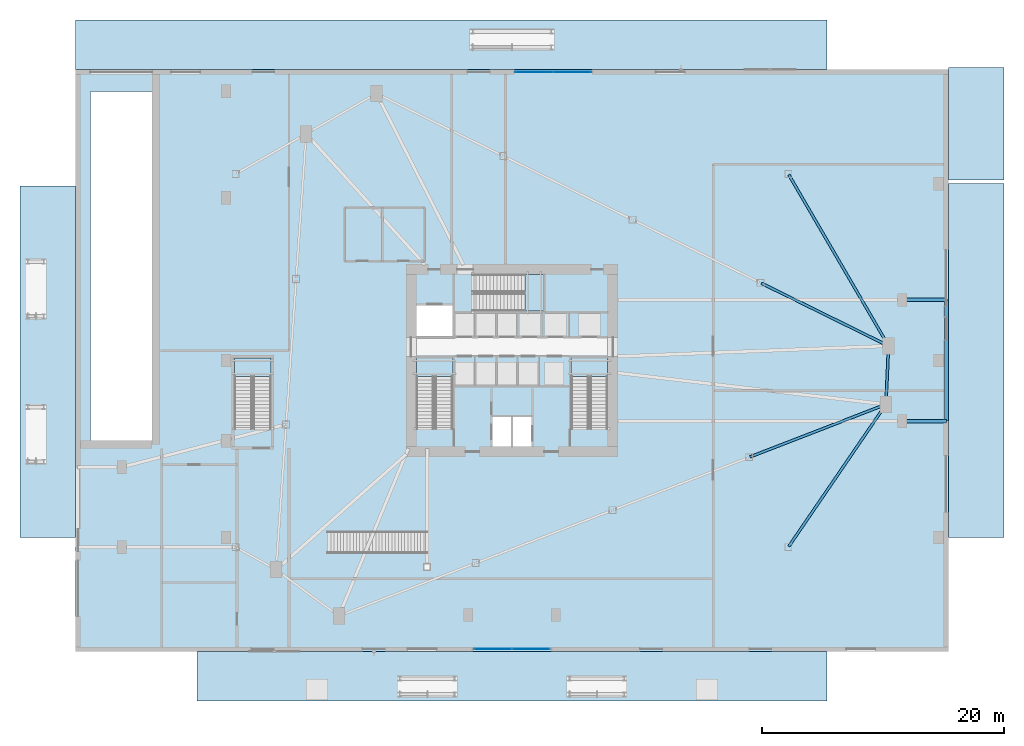
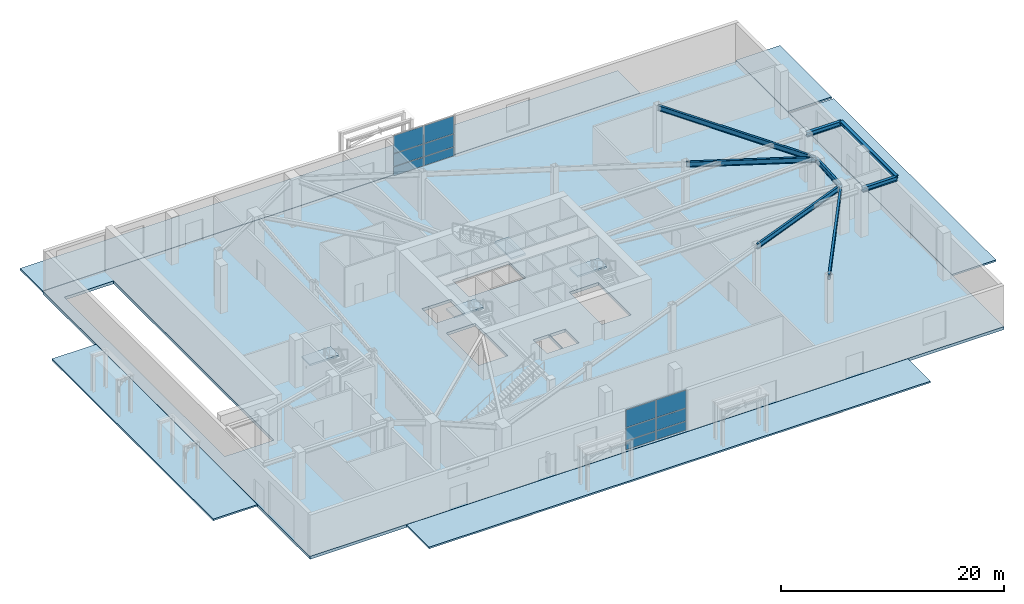
# One storey, part 9 of 22: 12 plates, 10 slabs, 8 beams, 6 elements without a shape of their own.
"""IFC4 building model written with IfcOpenShell, lengths in metres."""

import ifcopenshell
import ifcopenshell.guid

model = None  # the IFC model being written
_history = None  # IfcOwnerHistory: only IFC2X3 demands one
_inside = {}  # id of a spatial element -> (the spatial element, [elements in it])
_under = {}  # id of a project, library or spatial element -> (it, [spatial elements below it])
_declared = {}  # id of a project -> (the project, [libraries it declares])
_typed = {}  # id of a type object -> (the type object, [elements of that type])
_made_of = {}  # id of a material, layer set ... -> (it, [elements and type objects made of it])


def new_model(schema):
    """Start an empty IFC model of exactly this schema.

    Asked for "IFC4X3", IfcOpenShell would pick the latest addendum, in which some entities
    have other attributes; the version numbers below select the first issue.
    IFC2X3 requires an IfcOwnerHistory on every rooted entity: one is made here for all.
    """
    global model, _history
    if schema == "IFC4X3":
        model = ifcopenshell.file(schema_version=(4, 3, 0, 0))
    else:
        model = ifcopenshell.file(schema=schema)
    _inside.clear()
    _under.clear()
    _declared.clear()
    _typed.clear()
    _made_of.clear()
    _history = None
    if model.schema == "IFC2X3":
        org = make("IfcOrganization", Name="unknown")
        user = make(
            "IfcPersonAndOrganization",
            ThePerson=make("IfcPerson", FamilyName="unknown"),
            TheOrganization=org,
        )
        app = make(
            "IfcApplication",
            ApplicationDeveloper=org,
            Version="unknown",
            ApplicationFullName="unknown",
            ApplicationIdentifier="unknown",
        )
        _history = make(
            "IfcOwnerHistory",
            OwningUser=user,
            OwningApplication=app,
            ChangeAction="ADDED",
            CreationDate=0,
        )
    return model


def make(cls, **values):
    """One entity of the class cls with the attributes given. An attribute that is None is left unset."""
    return model.create_entity(
        cls, **{name: value for name, value in values.items() if value is not None}
    )


def rooted(cls, **values):
    """An entity with a GlobalId (a new one), such as an element, a storey or a relation."""
    return make(cls, GlobalId=ifcopenshell.guid.new(), OwnerHistory=_history, **values)


def si_unit(unit_type, name, prefix=None):
    """IfcSIUnit, for example si_unit("LENGTHUNIT", "METRE", prefix="MILLI")."""
    return make("IfcSIUnit", UnitType=unit_type, Prefix=prefix, Name=name)


def assignment(units):
    """IfcUnitAssignment: the units of a project."""
    return None if units is None else make("IfcUnitAssignment", Units=units)


def point(xyz):
    """IfcCartesianPoint."""
    return None if xyz is None else make("IfcCartesianPoint", Coordinates=xyz)


def direction(xyz):
    """IfcDirection."""
    return None if xyz is None else make("IfcDirection", DirectionRatios=xyz)


def frame(location, z_axis=None, x_axis=None):
    """IfcAxis2Placement3D, a coordinate frame: its origin and axes. An axis left out is left unset."""
    return make(
        "IfcAxis2Placement3D",
        Location=point(location),
        Axis=direction(z_axis),
        RefDirection=direction(x_axis),
    )


def frame_2d(location, x_axis=None):
    """IfcAxis2Placement2D, a coordinate frame in the plane: its origin and x axis."""
    return make(
        "IfcAxis2Placement2D", Location=point(location), RefDirection=direction(x_axis)
    )


def origin():
    """The frame at (0, 0, 0) with its axes left unset."""
    return frame((0.0, 0.0, 0.0))


def origin_2d():
    """The frame at (0, 0) in the plane with its x axis left unset."""
    return frame_2d((0.0, 0.0))


def place(relative_to, where):
    """IfcLocalPlacement: puts the frame where relative to a parent placement (None: the world)."""
    return make(
        "IfcLocalPlacement", PlacementRelTo=relative_to, RelativePlacement=where
    )


def context(
    kind, dimensions, precision=None, world=None, true_north=None, identifier=None
):
    """IfcGeometricRepresentationContext, for example the 3D "Model" context."""
    return make(
        "IfcGeometricRepresentationContext",
        ContextIdentifier=identifier,
        ContextType=kind,
        CoordinateSpaceDimension=dimensions,
        Precision=precision,
        WorldCoordinateSystem=world,
        TrueNorth=true_north,
    )


def subcontext(parent, identifier, kind, view, scale=None):
    """IfcGeometricRepresentationSubContext, for example "Body" below "Model"."""
    return make(
        "IfcGeometricRepresentationSubContext",
        ContextIdentifier=identifier,
        ContextType=kind,
        ParentContext=parent,
        TargetScale=scale,
        TargetView=view,
    )


def project(units=None, contexts=None):
    """IfcProject with its units and contexts."""
    return rooted(
        "IfcProject",
        Name="project",
        RepresentationContexts=contexts,
        UnitsInContext=assignment(units),
    )


def spatial(cls, under=None, at=None, **own):
    """A site, building, storey or space (cls), placed at a placement, below another one or the project."""
    s = rooted(cls, ObjectPlacement=at, **own)
    if under is not None:
        _under.setdefault(under.id(), (under, []))[1].append(s)
    return s


def polyline(points):
    """IfcPolyline through the points."""
    return make("IfcPolyline", Points=[point(p) for p in points])


def profile(cls, at=None, kind="AREA", **sizes):
    """A parametric profile (cls). Its sizes go by their IFC names, for example OverallWidth=200.0."""
    return make(cls, ProfileType=kind, Position=at, **sizes)


def rectangle(**sizes):
    """IfcRectangleProfileDef."""
    return profile("IfcRectangleProfileDef", **sizes)


def i_section(**sizes):
    """IfcIShapeProfileDef."""
    return profile("IfcIShapeProfileDef", **sizes)


def outline(outer, holes=None, kind="AREA"):
    """IfcArbitraryClosedProfileDef: a profile drawn as a closed curve; with holes, ...WithVoids."""
    if holes is None:
        return make("IfcArbitraryClosedProfileDef", ProfileType=kind, OuterCurve=outer)
    return make(
        "IfcArbitraryProfileDefWithVoids",
        ProfileType=kind,
        OuterCurve=outer,
        InnerCurves=holes,
    )


def extrude(swept, where, along, depth):
    """IfcExtrudedAreaSolid: the profile swept, set in the frame where, extruded along a direction by depth."""
    return make(
        "IfcExtrudedAreaSolid",
        SweptArea=swept,
        Position=where,
        ExtrudedDirection=direction(along),
        Depth=depth,
    )


def shape(context_of_items, identifier, shape_type, items):
    """IfcShapeRepresentation: the items that make up one representation, for example the "Body"."""
    return make(
        "IfcShapeRepresentation",
        ContextOfItems=context_of_items,
        RepresentationIdentifier=identifier,
        RepresentationType=shape_type,
        Items=items,
    )


def source(mapping_origin, context_of_items, identifier, shape_type, items):
    """IfcRepresentationMap: a shape defined once, which mapped items show again and again."""
    return make(
        "IfcRepresentationMap",
        MappingOrigin=mapping_origin,
        MappedRepresentation=shape(context_of_items, identifier, shape_type, items),
    )


def transform(
    local_origin,
    x_axis=None,
    y_axis=None,
    z_axis=None,
    scale=None,
    scale2=None,
    scale3=None,
    uniform=True,
):
    """IfcCartesianTransformationOperator3D, or its non-uniform kind. x_axis, y_axis, z_axis: its Axis1, 2, 3."""
    if uniform:
        return make(
            "IfcCartesianTransformationOperator3D",
            Axis1=direction(x_axis),
            Axis2=direction(y_axis),
            LocalOrigin=point(local_origin),
            Scale=scale,
            Axis3=direction(z_axis),
        )
    return make(
        "IfcCartesianTransformationOperator3DnonUniform",
        Axis1=direction(x_axis),
        Axis2=direction(y_axis),
        LocalOrigin=point(local_origin),
        Scale=scale,
        Axis3=direction(z_axis),
        Scale2=scale2,
        Scale3=scale3,
    )


def mapped(mapping_source, mapping_target):
    """IfcMappedItem: shows the shape of a source again, moved by a transform."""
    return make(
        "IfcMappedItem", MappingSource=mapping_source, MappingTarget=mapping_target
    )


def material(Name=None, Category=None):
    """IfcMaterial."""
    return make("IfcMaterial", Name=Name, Category=Category)


def layer(
    of_material, thickness, ventilated=None, Name=None, Category=None, Priority=None
):
    """IfcMaterialLayer: one layer of a wall or slab, of a material (None: an air gap)."""
    return make(
        "IfcMaterialLayer",
        Material=of_material,
        LayerThickness=thickness,
        IsVentilated=ventilated,
        Name=Name,
        Category=Category,
        Priority=Priority,
    )


def layer_set(layers, Name=None):
    """IfcMaterialLayerSet."""
    return make("IfcMaterialLayerSet", MaterialLayers=layers, LayerSetName=Name)


def material_profile(
    of_material, cross_section, Name=None, Category=None, Priority=None
):
    """IfcMaterialProfile: a cross section and its material."""
    return make(
        "IfcMaterialProfile",
        Name=Name,
        Material=of_material,
        Profile=cross_section,
        Priority=Priority,
        Category=Category,
    )


def profile_set(profiles, Name=None, composite=None):
    """IfcMaterialProfileSet."""
    return make(
        "IfcMaterialProfileSet",
        Name=Name,
        MaterialProfiles=profiles,
        CompositeProfile=composite,
    )


def made_of(thing, what):
    """Note that an element or type object is made of a material, layer set ...; save() writes the relation."""
    if what is not None:
        _made_of.setdefault(what.id(), (what, []))[1].append(thing)
    return thing


def type_object(cls, material=None, **own):
    """A type object (cls), such as IfcWallType, which elements share."""
    return made_of(rooted(cls, **own), material)


def element(
    cls,
    number,
    at=None,
    inside=None,
    cuts=None,
    type_object=None,
    material=None,
    context=None,
    identifier="Body",
    shape_type=None,
    held_by="IfcProductDefinitionShape",
    body=None,
    shapes=None,
    **own,
):
    """One element of the class cls, such as IfcWall. Its Tag is "e" and its number.

    at: its placement. inside: the storey or other place that contains it. cuts: it is an
    opening in that element (IfcRelVoidsElement). A single representation is given by context,
    identifier, shape_type and body (its items); several are given by shapes. held_by: the class
    of the entity that holds the representations. save() writes the other relations.
    """
    e = rooted(cls, Tag="e%d" % number, ObjectPlacement=at, **own)
    if body is not None:
        shapes = [shape(context, identifier, shape_type, body)]
    if shapes is not None:
        e.Representation = make(held_by, Representations=shapes)
    if inside is not None:
        _inside.setdefault(inside.id(), (inside, []))[1].append(e)
    if cuts is not None:
        rooted(
            "IfcRelVoidsElement", RelatingBuildingElement=cuts, RelatedOpeningElement=e
        )
    if type_object is not None:
        _typed.setdefault(type_object.id(), (type_object, []))[1].append(e)
    return made_of(e, material)


def aggregate(whole, parts):
    """IfcRelAggregates: a whole, such as a stair, and the parts it consists of."""
    return rooted("IfcRelAggregates", RelatingObject=whole, RelatedObjects=parts)


def save(model, path):
    """Write the relations noted so far, then the file.

    IfcRelAggregates (storeys below a building ...), IfcRelContainedInSpatialStructure (elements
    in a storey), IfcRelDefinesByType, IfcRelAssociatesMaterial and IfcRelDeclares: one each for
    every whole, place, type object, material and project.
    """
    for whole, parts in _under.values():
        aggregate(whole, parts)
    for where, things in _inside.values():
        rooted(
            "IfcRelContainedInSpatialStructure",
            RelatedElements=things,
            RelatingStructure=where,
        )
    for kind, things in _typed.values():
        rooted("IfcRelDefinesByType", RelatedObjects=things, RelatingType=kind)
    for what, things in _made_of.values():
        rooted("IfcRelAssociatesMaterial", RelatedObjects=things, RelatingMaterial=what)
    for by, libraries in _declared.values():
        rooted("IfcRelDeclares", RelatingContext=by, RelatedDefinitions=libraries)
    model.write(path)


model = new_model("IFC4")

# Units and contexts
model_context = context("Model", 3, precision=1e-05, world=origin(), true_north=direction((0.0, 1.0)))
body_context = subcontext(model_context, "Body", "Model", "MODEL_VIEW")
ifc_project = project(units=[si_unit("LENGTHUNIT", "METRE"), si_unit("AREAUNIT", "SQUARE_METRE"), si_unit("VOLUMEUNIT", "CUBIC_METRE"), si_unit("PLANEANGLEUNIT", "RADIAN"), si_unit("MASSUNIT", "GRAM", prefix="KILO")], contexts=[model_context])

# Site, building, storey
site_placement = place(None, origin())
site = spatial("IfcSite", under=ifc_project, at=site_placement, CompositionType="ELEMENT")
building_placement = place(site_placement, origin())
building = spatial("IfcBuilding", under=site, at=building_placement, Name="Olszyna Solenne Hotel", CompositionType="ELEMENT")
storey_placement = place(building_placement, origin())
storey = spatial("IfcBuildingStorey", under=building, at=storey_placement, Name="L00", CompositionType="ELEMENT", Elevation=0.0)

# Beams
ifc_material_1 = material(Name="Steel S355J2", Category="steel")
ifc_material_profile_1 = material_profile(ifc_material_1, i_section(OverallWidth=0.2099609375, OverallDepth=0.550048828125, WebThickness=0.010986328125, FlangeThickness=0.01708984375, at=origin_2d()), Name="IPE 550", Category="load-bearing")
ifc_profile_set_1 = profile_set([ifc_material_profile_1], Name="Steel S355J2")
beam_type_1 = type_object("IfcBeamType", Name="BM-F2", PredefinedType="BEAM", material=ifc_profile_set_1)
shared_shape_1 = source(origin(), body_context, "Body", "SweptSolid", [
    extrude(i_section(OverallWidth=0.2099609375, OverallDepth=0.550048828125, WebThickness=0.010986328125, FlangeThickness=0.01708984375, at=origin_2d()), origin(), (0.0, 0.0, 1.0), 14.1162109375),
])
beam_1_placement = place(storey_placement, frame((60.84521484375, 11.26611328125, 4.804931640625), z_axis=(0.564440227012, 0.825473942733, 0.0), x_axis=(-0.825473942733, 0.564440227012, 0.0)))
element("IfcBeam", 1, at=beam_1_placement, inside=storey, type_object=beam_type_1, Name="Podium terrace girder BM-F2 B-L00-0061", PredefinedType="BEAM", context=body_context, shape_type="MappedRepresentation", body=[
    mapped(shared_shape_1, transform((0.0, 0.0, 0.0), x_axis=(1.0, 0.0, 0.0), y_axis=(0.0, 1.0, 0.0), z_axis=(0.0, 0.0, 1.0), scale=1.0)),
])
shared_shape_2 = source(origin(), body_context, "Body", "SweptSolid", [
    extrude(i_section(OverallWidth=0.2099609375, OverallDepth=0.550048828125, WebThickness=0.010986328125, FlangeThickness=0.01708984375, at=origin_2d()), origin(), (0.0, 0.0, 1.0), 16.271484375),
])
beam_2_placement = place(storey_placement, frame((60.84033203125, 41.930908203125, 4.804931640625), z_axis=(0.503453956375, -0.864022056322, 0.0), x_axis=(0.864022056322, 0.503453956375, 0.0)))
element("IfcBeam", 2, at=beam_2_placement, inside=storey, type_object=beam_type_1, Name="Podium terrace girder BM-F2 B-L00-0062", PredefinedType="BEAM", context=body_context, shape_type="MappedRepresentation", body=[
    mapped(shared_shape_2, transform((0.0, 0.0, 0.0), x_axis=(1.0, 0.0, 0.0), y_axis=(0.0, 1.0, 0.0), z_axis=(0.0, 0.0, 1.0), scale=1.0)),
])
shared_shape_3 = source(origin(), body_context, "Body", "SweptSolid", [
    extrude(i_section(OverallWidth=0.2099609375, OverallDepth=0.550048828125, WebThickness=0.010986328125, FlangeThickness=0.01708984375, at=origin_2d()), origin(), (0.0, 0.0, 1.0), 4.6630859375),
])
beam_3_placement = place(storey_placement, frame((68.86181640625, 23.064453125, 4.804931640625), z_axis=(0.044450544341, 0.999011586073, 0.0), x_axis=(-0.999011586073, 0.044450544341, 0.0)))
element("IfcBeam", 3, at=beam_3_placement, inside=storey, type_object=beam_type_1, Name="Podium ring girder BM-F2 B-L00-0036", PredefinedType="BEAM", context=body_context, shape_type="MappedRepresentation", body=[
    mapped(shared_shape_3, transform((0.0, 0.0, 0.0), x_axis=(1.0, 0.0, 0.0), y_axis=(0.0, 1.0, 0.0), z_axis=(0.0, 0.0, 1.0), scale=1.0)),
])
shared_shape_4 = source(origin(), body_context, "Body", "SweptSolid", [
    extrude(i_section(OverallWidth=0.2099609375, OverallDepth=0.550048828125, WebThickness=0.010986328125, FlangeThickness=0.01708984375, at=origin_2d()), origin(), (0.0, 0.0, 1.0), 11.6201171875),
])
beam_4_placement = place(storey_placement, frame((69.000732421875, 27.83837890625, 4.804931640625), z_axis=(-0.896896785097, 0.442239931352, 0.0), x_axis=(-0.442239931352, -0.896896785097, 0.0)))
element("IfcBeam", 4, at=beam_4_placement, inside=storey, type_object=beam_type_1, Name="Podium ring girder BM-F2 B-L00-0038", PredefinedType="BEAM", context=body_context, shape_type="MappedRepresentation", body=[
    mapped(shared_shape_4, transform((0.0, 0.0, 0.0), x_axis=(1.0, 0.0, 0.0), y_axis=(0.0, 1.0, 0.0), z_axis=(0.0, 0.0, 1.0), scale=1.0)),
])
shared_shape_5 = source(origin(), body_context, "Body", "SweptSolid", [
    extrude(i_section(OverallWidth=0.2099609375, OverallDepth=0.550048828125, WebThickness=0.010986328125, FlangeThickness=0.01708984375, at=origin_2d()), origin(), (0.0, 0.0, 1.0), 11.94091796875),
])
beam_5_placement = place(storey_placement, frame((57.646728515625, 18.6474609375, 4.804931640625), z_axis=(0.932642459435, 0.360801944091, 0.0), x_axis=(-0.360801944091, 0.932642459435, 0.0)))
element("IfcBeam", 5, at=beam_5_placement, inside=storey, type_object=beam_type_1, Name="Podium ring girder BM-F2 BRG-L00-64", PredefinedType="BEAM", context=body_context, shape_type="MappedRepresentation", body=[
    mapped(shared_shape_5, transform((0.0, 0.0, 0.0), x_axis=(1.0, 0.0, 0.0), y_axis=(0.0, 1.0, 0.0), z_axis=(0.0, 0.0, 1.0), scale=1.0)),
])
ifc_material_profile_2 = material_profile(ifc_material_1, i_section(OverallWidth=0.300048828125, OverallDepth=0.489990234375, WebThickness=0.011962890625, FlangeThickness=0.02294921875, at=origin_2d()), Name="HEA 500", Category="load-bearing")
ifc_profile_set_2 = profile_set([ifc_material_profile_2], Name="Steel S355J2")
beam_type_2 = type_object("IfcBeamType", Name="BM-G1", PredefinedType="BEAM", material=ifc_profile_set_2)
shared_shape_6 = source(origin(), body_context, "Body", "SweptSolid", [
    extrude(i_section(OverallWidth=0.300048828125, OverallDepth=0.489990234375, WebThickness=0.011962890625, FlangeThickness=0.02294921875, at=origin_2d()), origin(), (0.0, 0.0, 1.0), 3.590087890625),
])
for number, where, z_axis, x_axis, name in (
    (6, (70.260009765625, 21.60009765625, 4.8349609375), (1.0, 0.0, 0.0), (0.0, 1.0, 0.0), "Terrace East overhang girder BM-G1 B-L00-0055"),
    (7, (70.260009765625, 31.60009765625, 4.8349609375), (1.0, 0.0, 0.0), (0.0, 1.0, 0.0), "Terrace East overhang girder BM-G1 B-L00-0057"),
):
    element("IfcBeam", number, at=place(storey_placement, frame(where, z_axis=z_axis, x_axis=x_axis)), inside=storey, type_object=beam_type_2, Name=name, PredefinedType="BEAM", context=body_context, shape_type="MappedRepresentation", body=[
        mapped(shared_shape_6, transform((0.0, 0.0, 0.0), x_axis=(1.0, 0.0, 0.0), y_axis=(0.0, 1.0, 0.0), z_axis=(0.0, 0.0, 1.0), scale=1.0)),
    ])
ifc_material_profile_3 = material_profile(ifc_material_1, i_section(OverallWidth=0.300048828125, OverallDepth=0.31005859375, WebThickness=0.009033203125, FlangeThickness=0.015380859375, at=origin_2d()), Name="HEA 320", Category="load-bearing")
ifc_profile_set_3 = profile_set([ifc_material_profile_3], Name="Steel S355J2")
beam_type_3 = type_object("IfcBeamType", Name="BM-G3", PredefinedType="BEAM", material=ifc_profile_set_3)
shared_shape_7 = source(origin(), body_context, "Body", "SweptSolid", [
    extrude(i_section(OverallWidth=0.300048828125, OverallDepth=0.31005859375, WebThickness=0.009033203125, FlangeThickness=0.015380859375, at=origin_2d()), origin(), (0.0, 0.0, 1.0), 10.0),
])
beam_6_placement = place(storey_placement, frame((73.85009765625, 21.60009765625, 4.925048828125), z_axis=(0.0, 1.0, 0.0), x_axis=(-1.0, 0.0, 0.0)))
element("IfcBeam", 8, at=beam_6_placement, inside=storey, type_object=beam_type_3, Name="Terrace East rim beam BM-G3 B-L00-0058", PredefinedType="BEAM", context=body_context, shape_type="MappedRepresentation", body=[
    mapped(shared_shape_7, transform((0.0, 0.0, 0.0), x_axis=(1.0, 0.0, 0.0), y_axis=(0.0, 1.0, 0.0), z_axis=(0.0, 0.0, 1.0), scale=1.0)),
])

# Stair, slab
ifc_material_2 = material(Name="Concrete C40/50", Category="concrete")
stair_type_1 = type_object("IfcStairType", Name="STR-C1", PredefinedType="TWO_QUARTER_WINDING_STAIR", material=ifc_material_2)
stair_1_placement = place(storey_placement, origin())
stair_1 = element("IfcStair", 9, at=stair_1_placement, inside=storey, type_object=stair_type_1, Name="L00 ST1", PredefinedType="TWO_QUARTER_WINDING_STAIR")
ifc_layer_1 = layer(ifc_material_2, 0.18994140625, Name="Concrete C40/50")
ifc_layer_set_1 = layer_set([ifc_layer_1], Name="Concrete C40/50")
slab_type_1 = type_object("IfcSlabType", Name="SL-LN190", PredefinedType="LANDING", material=ifc_layer_set_1)
slab_1_placement = place(storey_placement, frame((0.0, 0.0, 2.5)))
slab_1 = element("IfcSlab", 10, at=slab_1_placement, type_object=slab_type_1, Name="ST1 landing 1", PredefinedType="LANDING", context=body_context, shape_type="SweptSolid", body=[
    extrude(outline(polyline([(33.1201171875, 25.300048828125), (33.1201171875, 26.800048828125), (30.10009765625, 26.800048828125), (30.10009765625, 25.300048828125), (33.1201171875, 25.300048828125)])), origin(), (0.0, 0.0, 1.0), 0.199951171875),
])
aggregate(stair_1, [slab_1])

stair_2_placement = place(storey_placement, origin())
stair_2 = element("IfcStair", 11, at=stair_2_placement, inside=storey, type_object=stair_type_1, Name="L00 ST2", PredefinedType="TWO_QUARTER_WINDING_STAIR")
slab_2_placement = place(storey_placement, frame((0.0, 0.0, 2.5)))
slab_2 = element("IfcSlab", 12, at=slab_2_placement, type_object=slab_type_1, Name="ST2 landing 1", PredefinedType="LANDING", context=body_context, shape_type="SweptSolid", body=[
    extrude(outline(polyline([(45.89990234375, 25.300048828125), (45.89990234375, 26.800048828125), (42.8798828125, 26.800048828125), (42.8798828125, 25.300048828125), (45.89990234375, 25.300048828125)])), origin(), (0.0, 0.0, 1.0), 0.199951171875),
])
aggregate(stair_2, [slab_2])

stair_3_placement = place(storey_placement, origin())
stair_3 = element("IfcStair", 13, at=stair_3_placement, inside=storey, type_object=stair_type_1, Name="L00 ST3", PredefinedType="TWO_QUARTER_WINDING_STAIR")
slab_3_placement = place(storey_placement, frame((0.0, 0.0, 2.5)))
slab_3 = element("IfcSlab", 14, at=slab_3_placement, type_object=slab_type_1, Name="ST3 landing 1", PredefinedType="LANDING", context=body_context, shape_type="SweptSolid", body=[
    extrude(outline(polyline([(39.080078125, 30.679931640625), (40.580078125, 30.679931640625), (40.580078125, 33.699951171875), (39.080078125, 33.699951171875), (39.080078125, 30.679931640625)])), origin(), (0.0, 0.0, 1.0), 0.199951171875),
])
aggregate(stair_3, [slab_3])

stair_type_2 = type_object("IfcStairType", Name="STR-P1", PredefinedType="TWO_QUARTER_WINDING_STAIR", material=ifc_material_2)
stair_4_placement = place(storey_placement, origin())
stair_4 = element("IfcStair", 15, at=stair_4_placement, inside=storey, type_object=stair_type_2, Name="L00 ST4", PredefinedType="TWO_QUARTER_WINDING_STAIR")
slab_4_placement = place(storey_placement, frame((0.0, 0.0, 2.5)))
slab_4 = element("IfcSlab", 16, at=slab_4_placement, type_object=slab_type_1, Name="ST4 landing 1", PredefinedType="LANDING", context=body_context, shape_type="SweptSolid", body=[
    extrude(outline(polyline([(18.1201171875, 25.300048828125), (18.1201171875, 26.800048828125), (15.10009765625, 26.800048828125), (15.10009765625, 25.300048828125), (18.1201171875, 25.300048828125)])), origin(), (0.0, 0.0, 1.0), 0.199951171875),
])
aggregate(stair_4, [slab_4])

# Slabs
ifc_material_3 = material(Name="Concrete C50/60", Category="concrete")
ifc_layer_2 = layer(ifc_material_3, 0.320068359375, Name="Concrete C50/60")
ifc_layer_set_2 = layer_set([ifc_layer_2], Name="Concrete C50/60")
slab_type_2 = type_object("IfcSlabType", Name="SL-PD320", PredefinedType="FLOOR", material=ifc_layer_set_2)
slab_5_placement = place(storey_placement, frame((0.0, 0.0, -0.320068359375)))
element("IfcSlab", 17, at=slab_5_placement, inside=storey, type_object=slab_type_2, Name="Floor slab SL-PD320 SL-L00-01", PredefinedType="FLOOR", context=body_context, shape_type="SweptSolid", body=[
    extrude(outline(polyline([(2.0, 2.60009765625), (74.0, 2.60009765625), (74.0, 50.60009765625), (2.0, 50.60009765625), (2.0, 2.60009765625)]), holes=[polyline([(30.10009765625, 20.949951171875), (33.1201171875, 20.949951171875), (33.1201171875, 26.800048828125), (30.10009765625, 26.800048828125), (30.10009765625, 20.949951171875)]), polyline([(42.8798828125, 20.949951171875), (45.89990234375, 20.949951171875), (45.89990234375, 26.800048828125), (42.8798828125, 26.800048828125), (42.8798828125, 20.949951171875)]), polyline([(34.72998046875, 30.679931640625), (40.580078125, 30.679931640625), (40.580078125, 33.699951171875), (34.72998046875, 33.699951171875), (34.72998046875, 30.679931640625)]), polyline([(36.340087890625, 19.5), (37.9599609375, 19.5), (37.9599609375, 21.9599609375), (36.340087890625, 21.9599609375), (36.340087890625, 19.5)]), polyline([(38.0400390625, 19.5), (39.659912109375, 19.5), (39.659912109375, 21.9599609375), (38.0400390625, 21.9599609375), (38.0400390625, 19.5)]), polyline([(30.10009765625, 28.60009765625), (33.1201171875, 28.60009765625), (33.1201171875, 31.159912109375), (30.10009765625, 31.159912109375), (30.10009765625, 28.60009765625)]), polyline([(3.199951171875, 20.0), (8.300048828125, 20.0), (8.300048828125, 48.800048828125), (3.199951171875, 48.800048828125), (3.199951171875, 20.0)])]), origin(), (0.0, 0.0, 1.0), 0.320068359375),
])
ifc_material_4 = material(Name="Precast concrete C40/50", Category="concrete")
ifc_layer_3 = layer(ifc_material_4, 0.179931640625, Name="Precast concrete C40/50")
ifc_layer_set_3 = layer_set([ifc_layer_3], Name="Precast concrete C40/50")
slab_type_3 = type_object("IfcSlabType", Name="SL-PV180", PredefinedType="FLOOR", material=ifc_layer_set_3)
slab_6_placement = place(storey_placement, frame((0.0, 0.0, -0.179931640625)))
element("IfcSlab", 18, at=slab_6_placement, inside=storey, type_object=slab_type_3, Name="East vehicle ramp exit driveway apron slab SL-L00-PV1", PredefinedType="FLOOR", context=body_context, shape_type="SweptSolid", body=[
    extrude(outline(polyline([(74.02001953125, 41.5), (78.60009765625, 41.5), (78.60009765625, 50.800048828125), (74.02001953125, 50.800048828125), (74.02001953125, 41.5)])), origin(), (0.0, 0.0, 1.0), 0.179931640625),
])
slab_7_placement = place(storey_placement, frame((0.0, 0.0, -0.179931640625)))
element("IfcSlab", 19, at=slab_7_placement, inside=storey, type_object=slab_type_3, Name="South arrival forecourt plaza slab SL-L00-PV2", PredefinedType="FLOOR", context=body_context, shape_type="SweptSolid", body=[
    extrude(outline(polyline([(12.0, -1.5), (64.0, -1.5), (64.0, 2.580078125), (12.0, 2.580078125), (12.0, -1.5)])), origin(), (0.0, 0.0, 1.0), 0.179931640625),
])
slab_8_placement = place(storey_placement, frame((0.0, 0.0, -0.179931640625)))
element("IfcSlab", 20, at=slab_8_placement, inside=storey, type_object=slab_type_3, Name="North pedestrian plaza paving slab SL-L00-PV3", PredefinedType="FLOOR", context=body_context, shape_type="SweptSolid", body=[
    extrude(outline(polyline([(2.0, 50.6201171875), (64.0, 50.6201171875), (64.0, 54.699951171875), (2.0, 54.699951171875), (2.0, 50.6201171875)])), origin(), (0.0, 0.0, 1.0), 0.179931640625),
])
slab_9_placement = place(storey_placement, frame((0.0, 0.0, -0.179931640625)))
element("IfcSlab", 21, at=slab_9_placement, inside=storey, type_object=slab_type_3, Name="West drop-off forecourt plaza slab SL-L00-PV4", PredefinedType="FLOOR", context=body_context, shape_type="SweptSolid", body=[
    extrude(outline(polyline([(-2.60009765625, 12.0), (1.97998046875, 12.0), (1.97998046875, 41.0), (-2.60009765625, 41.0), (-2.60009765625, 12.0)])), origin(), (0.0, 0.0, 1.0), 0.179931640625),
])
slab_10_placement = place(storey_placement, frame((0.0, 0.0, -0.179931640625)))
element("IfcSlab", 22, at=slab_10_placement, inside=storey, type_object=slab_type_3, Name="East service and retail paseo paving slab SL-L00-PV5", PredefinedType="FLOOR", context=body_context, shape_type="SweptSolid", body=[
    extrude(outline(polyline([(74.02001953125, 12.0), (78.60009765625, 12.0), (78.60009765625, 41.199951171875), (74.02001953125, 41.199951171875), (74.02001953125, 12.0)])), origin(), (0.0, 0.0, 1.0), 0.179931640625),
])

# Curtain wall, plates
ifc_material_5 = material(Name="Anodised bronze aluminium", Category="aluminium")
curtain_wall_type = type_object("IfcCurtainWallType", Name="CW-SYS-1", PredefinedType="NOTDEFINED", material=ifc_material_5)
curtain_wall_1_placement = place(storey_placement, origin())
curtain_wall_1 = element("IfcCurtainWall", 23, at=curtain_wall_1_placement, inside=storey, type_object=curtain_wall_type, Name="Unitised curtain wall CW-SYS-1 CW-L00-01", PredefinedType="NOTDEFINED")
ifc_material_6 = material(Name="Terracotta cladding", Category="masonry")
plate_type_1 = type_object("IfcPlateType", Name="PN-SP1", PredefinedType="CURTAIN_PANEL", material=ifc_material_6)
shared_shape_8 = source(origin(), body_context, "Body", "SweptSolid", [
    extrude(rectangle(XDim=3.080078125, YDim=0.048095703125, at=origin_2d()), origin(), (0.0, 0.0, 1.0), 0.9375),
])
plate_1_placement = place(storey_placement, frame((36.419921875, 2.7900390625, 0.074951171875), z_axis=(0.0, 0.0, 1.0), x_axis=(1.0, 0.0, 0.0)))
plate_1 = element("IfcPlate", 24, at=plate_1_placement, type_object=plate_type_1, Name="Curtain-wall panel PN-SP1 CP-L00-01-01", PredefinedType="CURTAIN_PANEL", context=body_context, shape_type="MappedRepresentation", body=[
    mapped(shared_shape_8, transform((0.0, 0.0, 0.0), x_axis=(1.0, 0.0, 0.0), y_axis=(0.0, 1.0, 0.0), z_axis=(0.0, 0.0, 1.0), scale=1.0)),
])
plate_2_placement = place(storey_placement, frame((39.580078125, 2.7900390625, 0.074951171875), z_axis=(0.0, 0.0, 1.0), x_axis=(1.0, 0.0, 0.0)))
plate_2 = element("IfcPlate", 25, at=plate_2_placement, type_object=plate_type_1, Name="Curtain-wall panel PN-SP1 CP-L00-01-04", PredefinedType="CURTAIN_PANEL", context=body_context, shape_type="MappedRepresentation", body=[
    mapped(shared_shape_8, transform((0.0, 0.0, 0.0), x_axis=(1.0, 0.0, 0.0), y_axis=(0.0, 1.0, 0.0), z_axis=(0.0, 0.0, 1.0), scale=1.0)),
])

curtain_wall_2_placement = place(storey_placement, origin())
curtain_wall_2 = element("IfcCurtainWall", 26, at=curtain_wall_2_placement, inside=storey, type_object=curtain_wall_type, Name="Unitised curtain wall CW-SYS-1 CW-L00-02", PredefinedType="NOTDEFINED")
plate_3_placement = place(storey_placement, frame((39.820068359375, 50.409912109375, 0.074951171875), z_axis=(0.0, 0.0, 1.0), x_axis=(1.0, 0.0, 0.0)))
plate_3 = element("IfcPlate", 27, at=plate_3_placement, type_object=plate_type_1, Name="Curtain-wall panel PN-SP1 CP-L00-02-01", PredefinedType="CURTAIN_PANEL", context=body_context, shape_type="MappedRepresentation", body=[
    mapped(shared_shape_8, transform((0.0, 0.0, 0.0), x_axis=(1.0, 0.0, 0.0), y_axis=(0.0, 1.0, 0.0), z_axis=(0.0, 0.0, 1.0), scale=1.0)),
])
plate_4_placement = place(storey_placement, frame((42.97998046875, 50.409912109375, 0.074951171875), z_axis=(0.0, 0.0, 1.0), x_axis=(1.0, 0.0, 0.0)))
plate_4 = element("IfcPlate", 28, at=plate_4_placement, type_object=plate_type_1, Name="Curtain-wall panel PN-SP1 CP-L00-02-04", PredefinedType="CURTAIN_PANEL", context=body_context, shape_type="MappedRepresentation", body=[
    mapped(shared_shape_8, transform((0.0, 0.0, 0.0), x_axis=(1.0, 0.0, 0.0), y_axis=(0.0, 1.0, 0.0), z_axis=(0.0, 0.0, 1.0), scale=1.0)),
])

# Plate
ifc_material_7 = material(Name="Low-E triple glazing", Category="glass")
plate_type_2 = type_object("IfcPlateType", Name="PN-GL2", PredefinedType="CURTAIN_PANEL", material=ifc_material_7)
shared_shape_9 = source(origin(), body_context, "Body", "SweptSolid", [
    extrude(rectangle(XDim=3.080078125, YDim=0.048095703125, at=origin_2d()), origin(), (0.0, 0.0, 1.0), 1.362060546875),
])
plate_5_placement = place(storey_placement, frame((36.419921875, 2.7900390625, 1.08740234375), z_axis=(0.0, 0.0, 1.0), x_axis=(1.0, 0.0, 0.0)))
plate_5 = element("IfcPlate", 29, at=plate_5_placement, type_object=plate_type_2, Name="Curtain-wall panel PN-GL2 CP-L00-01-02", PredefinedType="CURTAIN_PANEL", context=body_context, shape_type="MappedRepresentation", body=[
    mapped(shared_shape_9, transform((0.0, 0.0, 0.0), x_axis=(1.0, 0.0, 0.0), y_axis=(0.0, 1.0, 0.0), z_axis=(0.0, 0.0, 1.0), scale=1.0)),
])

plate_6_placement = place(storey_placement, frame((39.580078125, 2.7900390625, 1.08740234375), z_axis=(0.0, 0.0, 1.0), x_axis=(1.0, 0.0, 0.0)))
plate_6 = element("IfcPlate", 30, at=plate_6_placement, type_object=plate_type_2, Name="Curtain-wall panel PN-GL2 CP-L00-01-05", PredefinedType="CURTAIN_PANEL", context=body_context, shape_type="MappedRepresentation", body=[
    mapped(shared_shape_9, transform((0.0, 0.0, 0.0), x_axis=(1.0, 0.0, 0.0), y_axis=(0.0, 1.0, 0.0), z_axis=(0.0, 0.0, 1.0), scale=1.0)),
])

plate_7_placement = place(storey_placement, frame((39.820068359375, 50.409912109375, 1.08740234375), z_axis=(0.0, 0.0, 1.0), x_axis=(1.0, 0.0, 0.0)))
plate_7 = element("IfcPlate", 31, at=plate_7_placement, type_object=plate_type_2, Name="Curtain-wall panel PN-GL2 CP-L00-02-02", PredefinedType="CURTAIN_PANEL", context=body_context, shape_type="MappedRepresentation", body=[
    mapped(shared_shape_9, transform((0.0, 0.0, 0.0), x_axis=(1.0, 0.0, 0.0), y_axis=(0.0, 1.0, 0.0), z_axis=(0.0, 0.0, 1.0), scale=1.0)),
])

plate_8_placement = place(storey_placement, frame((42.97998046875, 50.409912109375, 1.08740234375), z_axis=(0.0, 0.0, 1.0), x_axis=(1.0, 0.0, 0.0)))
plate_8 = element("IfcPlate", 32, at=plate_8_placement, type_object=plate_type_2, Name="Curtain-wall panel PN-GL2 CP-L00-02-05", PredefinedType="CURTAIN_PANEL", context=body_context, shape_type="MappedRepresentation", body=[
    mapped(shared_shape_9, transform((0.0, 0.0, 0.0), x_axis=(1.0, 0.0, 0.0), y_axis=(0.0, 1.0, 0.0), z_axis=(0.0, 0.0, 1.0), scale=1.0)),
])

shared_shape_10 = source(origin(), body_context, "Body", "SweptSolid", [
    extrude(rectangle(XDim=3.080078125, YDim=0.048095703125, at=origin_2d()), origin(), (0.0, 0.0, 1.0), 1.92236328125),
])
plate_9_placement = place(storey_placement, frame((36.419921875, 2.7900390625, 2.524658203125), z_axis=(0.0, 0.0, 1.0), x_axis=(1.0, 0.0, 0.0)))
plate_9 = element("IfcPlate", 33, at=plate_9_placement, type_object=plate_type_2, Name="Curtain-wall panel PN-GL2 CP-L00-01-03", PredefinedType="CURTAIN_PANEL", context=body_context, shape_type="MappedRepresentation", body=[
    mapped(shared_shape_10, transform((0.0, 0.0, 0.0), x_axis=(1.0, 0.0, 0.0), y_axis=(0.0, 1.0, 0.0), z_axis=(0.0, 0.0, 1.0), scale=1.0)),
])

plate_10_placement = place(storey_placement, frame((39.580078125, 2.7900390625, 2.524658203125), z_axis=(0.0, 0.0, 1.0), x_axis=(1.0, 0.0, 0.0)))
plate_10 = element("IfcPlate", 34, at=plate_10_placement, type_object=plate_type_2, Name="Curtain-wall panel PN-GL2 CP-L00-01-06", PredefinedType="CURTAIN_PANEL", context=body_context, shape_type="MappedRepresentation", body=[
    mapped(shared_shape_10, transform((0.0, 0.0, 0.0), x_axis=(1.0, 0.0, 0.0), y_axis=(0.0, 1.0, 0.0), z_axis=(0.0, 0.0, 1.0), scale=1.0)),
])

aggregate(curtain_wall_1, [plate_1, plate_5, plate_9, plate_2, plate_6, plate_10])

plate_11_placement = place(storey_placement, frame((39.820068359375, 50.409912109375, 2.524658203125), z_axis=(0.0, 0.0, 1.0), x_axis=(1.0, 0.0, 0.0)))
plate_11 = element("IfcPlate", 35, at=plate_11_placement, type_object=plate_type_2, Name="Curtain-wall panel PN-GL2 CP-L00-02-03", PredefinedType="CURTAIN_PANEL", context=body_context, shape_type="MappedRepresentation", body=[
    mapped(shared_shape_10, transform((0.0, 0.0, 0.0), x_axis=(1.0, 0.0, 0.0), y_axis=(0.0, 1.0, 0.0), z_axis=(0.0, 0.0, 1.0), scale=1.0)),
])

plate_12_placement = place(storey_placement, frame((42.97998046875, 50.409912109375, 2.524658203125), z_axis=(0.0, 0.0, 1.0), x_axis=(1.0, 0.0, 0.0)))
plate_12 = element("IfcPlate", 36, at=plate_12_placement, type_object=plate_type_2, Name="Curtain-wall panel PN-GL2 CP-L00-02-06", PredefinedType="CURTAIN_PANEL", context=body_context, shape_type="MappedRepresentation", body=[
    mapped(shared_shape_10, transform((0.0, 0.0, 0.0), x_axis=(1.0, 0.0, 0.0), y_axis=(0.0, 1.0, 0.0), z_axis=(0.0, 0.0, 1.0), scale=1.0)),
])

aggregate(curtain_wall_2, [plate_3, plate_7, plate_11, plate_4, plate_8, plate_12])

save(model, "model.ifc")
